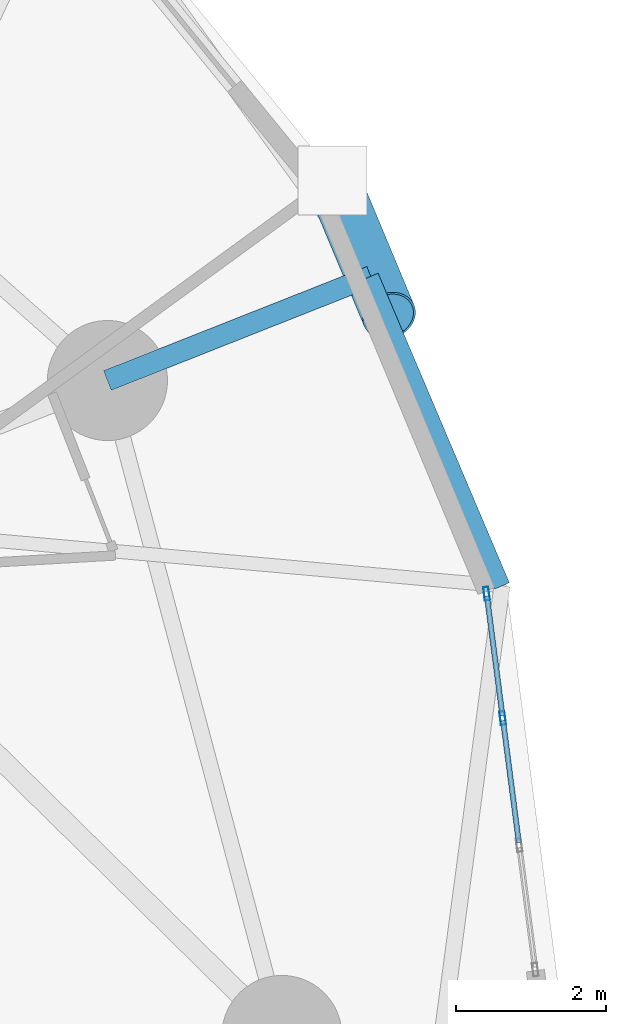
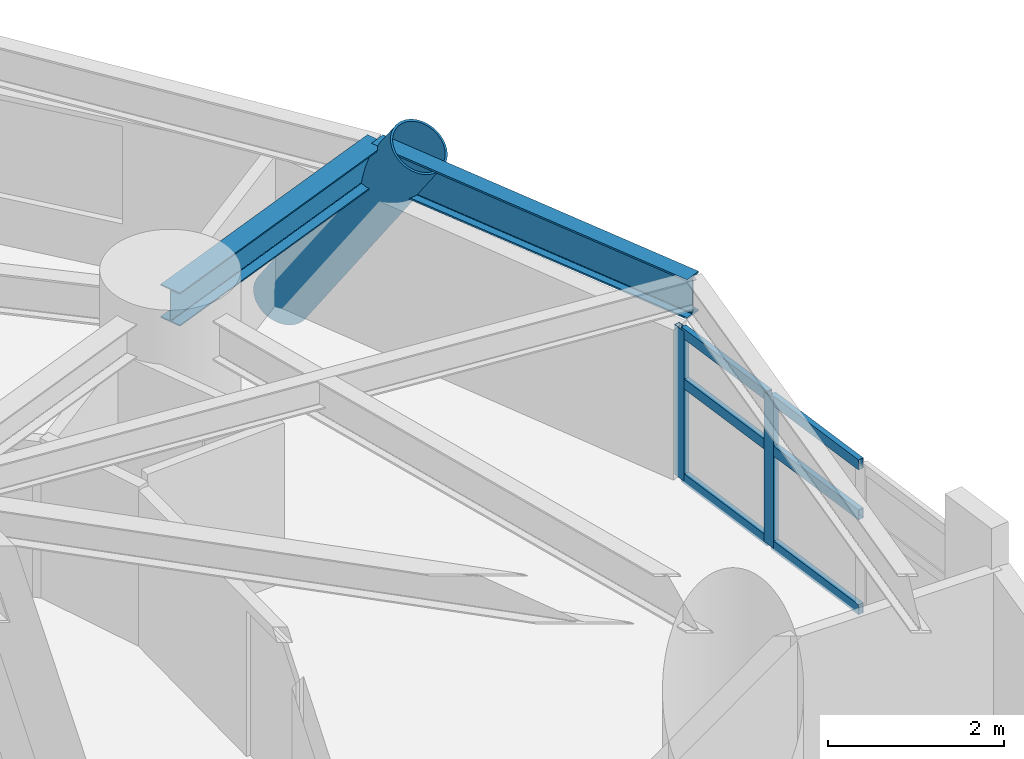
# One storey, part 4 of 19: 9 members, 2 beams, 1 element without a shape of its own.
"""IFC4 building model written with IfcOpenShell, lengths in metres."""

from ifc_helpers import new_model, si_unit, direction, frame, origin, origin_2d, place, context, subcontext, project, spatial, hollow_rectangle, hollow_circle, i_section, extrude, material, layer, layer_set, material_profile, profile_set, type_object, element, aggregate, save


model = new_model("IFC4")

# Units and contexts
model_context = context("Model", 3, precision=1e-05, world=origin(), true_north=direction((0.0, 1.0)))
body_context = subcontext(model_context, "Body", "Model", "MODEL_VIEW")
ifc_project = project(units=[si_unit("LENGTHUNIT", "METRE"), si_unit("AREAUNIT", "SQUARE_METRE"), si_unit("VOLUMEUNIT", "CUBIC_METRE"), si_unit("PLANEANGLEUNIT", "RADIAN"), si_unit("MASSUNIT", "GRAM", prefix="KILO")], contexts=[model_context])

# Site, building, storey
site_placement = place(None, origin())
site = spatial("IfcSite", under=ifc_project, at=site_placement, CompositionType="ELEMENT")
building_placement = place(site_placement, origin())
building = spatial("IfcBuilding", under=site, at=building_placement, Name="Cununo Teusaquillo Station Towers", CompositionType="ELEMENT")
storey_placement = place(building_placement, frame((0.0, 0.0, 48.18994140625)))
storey = spatial("IfcBuildingStorey", under=building, at=storey_placement, Name="L14", CompositionType="ELEMENT", Elevation=48.18994140625)

# Beams
ifc_material_1 = material(Name="Steel ASTM A572 Grade 50", Category="steel")
ifc_material_profile_1 = material_profile(ifc_material_1, i_section(OverallWidth=0.280029296875, OverallDepth=0.462890625, WebThickness=0.0107421875, FlangeThickness=0.017333984375, FilletRadius=0.013916015625, at=origin_2d()), Name="W18X76")
ifc_profile_set_1 = profile_set([ifc_material_profile_1], Name="Steel ASTM A572 Grade 50")
beam_type_1 = type_object("IfcBeamType", Name="BM-RAD-G1", PredefinedType="BEAM", material=ifc_profile_set_1)
beam_1_placement = place(storey_placement, frame((26.347412109375, 33.228515625, 2.41845703125), z_axis=(0.929871177563, 0.367885298888, 0.0), x_axis=(-0.367885298888, 0.929871177563, 0.0)))
element("IfcBeam", 1, at=beam_1_placement, inside=storey, type_object=beam_type_1, Name="L14 Tower A Perimeter Overhang Girder 02B", PredefinedType="BEAM", context=body_context, shape_type="SweptSolid", body=[
    extrude(i_section(OverallWidth=0.280029296875, OverallDepth=0.462890625, WebThickness=0.0107421875, FlangeThickness=0.017333984375, FilletRadius=0.013916015625, at=origin_2d()), origin(), (0.0, 0.0, 1.0), 3.7734375),
])
ifc_material_2 = material(Name="Steel ASTM A572 Grade 50", Category="steel")
ifc_material_profile_2 = material_profile(ifc_material_2, i_section(OverallWidth=0.214111328125, OverallDepth=0.549072265625, WebThickness=0.0146484375, FlangeThickness=0.023681640625, FilletRadius=0.014892578125, at=origin_2d()), Name="W21X93")
ifc_profile_set_2 = profile_set([ifc_material_profile_2], Name="Steel ASTM A572 Grade 50")
beam_type_2 = type_object("IfcBeamType", Name="BM-RING-Z1", PredefinedType="SPANDREL", material=ifc_profile_set_2)
beam_2_placement = place(storey_placement, frame((31.605712890625, 30.49169921875, 2.37548828125), z_axis=(-0.390457491743, 0.920620957366, 0.0), x_axis=(-0.920620957366, -0.390457491743, 0.0)))
element("IfcBeam", 2, at=beam_2_placement, inside=storey, type_object=beam_type_2, Name="L14 Tower A Spandrel Ring Beam 02", PredefinedType="SPANDREL", context=body_context, shape_type="SweptSolid", body=[
    extrude(i_section(OverallWidth=0.214111328125, OverallDepth=0.549072265625, WebThickness=0.0146484375, FlangeThickness=0.023681640625, FilletRadius=0.014892578125, at=origin_2d()), origin(), (0.0, 0.0, 1.0), 4.480712890625),
])

# Curtain wall, members
ifc_material_3 = material(Name="Operable acoustic tinted low-E double glazing", Category="glass")
ifc_layer = layer(ifc_material_3, 0.179931640625)
ifc_layer_set = layer_set([ifc_layer], Name="Operable acoustic tinted low-E double glazing")
curtain_wall_type = type_object("IfcCurtainWallType", Name="CW-SYS-03", PredefinedType="USERDEFINED", material=ifc_layer_set)
curtain_wall_placement = place(storey_placement, origin())
curtain_wall = element("IfcCurtainWall", 3, at=curtain_wall_placement, inside=storey, type_object=curtain_wall_type, Name="L14 Tower A Facade Curtain Wall C00", ObjectType="OPERABLE GLAZING", PredefinedType="USERDEFINED")
ifc_material_4 = material(Name="Anodised dark bronze aluminium EN AW-6063-T6", Category="aluminium")
ifc_material_profile_3 = material_profile(ifc_material_4, hollow_rectangle(XDim=0.070068359375, YDim=0.179931640625, WallThickness=0.00390625, at=origin_2d()), Name="CW-MULL-70x180")
ifc_profile_set_3 = profile_set([ifc_material_profile_3], Name="Anodised dark bronze aluminium EN AW-6063-T6")
member_type_1 = type_object("IfcMemberType", Name="CWM-180", PredefinedType="MULLION", material=ifc_profile_set_3)
member_1_placement = place(storey_placement, frame((31.40087890625, 30.38916015625, 0.0), z_axis=(0.0, 0.0, 1.0), x_axis=(0.99173073067, 0.128336112783, 0.0)))
member_1 = element("IfcMember", 4, at=member_1_placement, type_object=member_type_1, Name="CW-03 mullion 1", PredefinedType="MULLION", context=body_context, shape_type="SweptSolid", body=[
    extrude(hollow_rectangle(XDim=0.070068359375, YDim=0.179931640625, WallThickness=0.00390625, at=origin_2d()), origin(), (0.0, 0.0, 1.0), 2.072998046875),
])
member_2_placement = place(storey_placement, frame((31.615478515625, 28.730224609375, 0.0), z_axis=(0.0, 0.0, 1.0), x_axis=(0.99173073067, 0.128336112783, 0.0)))
member_2 = element("IfcMember", 5, at=member_2_placement, type_object=member_type_1, Name="CW-03 mullion 2", PredefinedType="MULLION", context=body_context, shape_type="SweptSolid", body=[
    extrude(hollow_rectangle(XDim=0.070068359375, YDim=0.179931640625, WallThickness=0.00390625, at=origin_2d()), origin(), (0.0, 0.0, 1.0), 2.072998046875),
])
ifc_material_5 = material(Name="Anodised dark bronze aluminium EN AW-6063-T6", Category="aluminium")
ifc_material_profile_4 = material_profile(ifc_material_5, hollow_rectangle(XDim=0.070068359375, YDim=0.139892578125, WallThickness=0.00390625, at=origin_2d()), Name="CW-TRAN-70x140")
ifc_profile_set_4 = profile_set([ifc_material_profile_4], Name="Anodised dark bronze aluminium EN AW-6063-T6")
member_type_2 = type_object("IfcMemberType", Name="CWT-140", PredefinedType="USERDEFINED", material=ifc_profile_set_4)
member_3_placement = place(storey_placement, frame((31.4052734375, 30.3544921875, 0.03515625), z_axis=(0.128401455372, -0.991722272745, 0.0), x_axis=(0.991722272745, 0.128401455372, 0.0)))
member_3 = element("IfcMember", 6, at=member_3_placement, type_object=member_type_2, Name="CW-03 transom 1.1", ObjectType="TRANSOM", PredefinedType="USERDEFINED", context=body_context, shape_type="SweptSolid", body=[
    extrude(hollow_rectangle(XDim=0.070068359375, YDim=0.139892578125, WallThickness=0.00390625, at=origin_2d()), origin(), (0.0, 0.0, 1.0), 1.602783203125),
])
member_4_placement = place(storey_placement, frame((31.4052734375, 30.3544921875, 1.34716796875), z_axis=(0.128401455372, -0.991722272745, 0.0), x_axis=(0.991722272745, 0.128401455372, 0.0)))
member_4 = element("IfcMember", 7, at=member_4_placement, type_object=member_type_2, Name="CW-03 transom 1.2", ObjectType="TRANSOM", PredefinedType="USERDEFINED", context=body_context, shape_type="SweptSolid", body=[
    extrude(hollow_rectangle(XDim=0.070068359375, YDim=0.139892578125, WallThickness=0.00390625, at=origin_2d()), origin(), (0.0, 0.0, 1.0), 1.602783203125),
])
member_5_placement = place(storey_placement, frame((31.4052734375, 30.3544921875, 2.0380859375), z_axis=(0.128401455372, -0.991722272745, 0.0), x_axis=(0.991722272745, 0.128401455372, 0.0)))
member_5 = element("IfcMember", 8, at=member_5_placement, type_object=member_type_2, Name="CW-03 transom 1.3", ObjectType="TRANSOM", PredefinedType="USERDEFINED", context=body_context, shape_type="SweptSolid", body=[
    extrude(hollow_rectangle(XDim=0.070068359375, YDim=0.139892578125, WallThickness=0.00390625, at=origin_2d()), origin(), (0.0, 0.0, 1.0), 1.602783203125),
])
member_6_placement = place(storey_placement, frame((31.6201171875, 28.695556640625, 0.03515625), z_axis=(0.128344982832, -0.99172958279, 0.0), x_axis=(0.99172958279, 0.128344982832, 0.0)))
member_6 = element("IfcMember", 9, at=member_6_placement, type_object=member_type_2, Name="CW-03 transom 2.1", ObjectType="TRANSOM", PredefinedType="USERDEFINED", context=body_context, shape_type="SweptSolid", body=[
    extrude(hollow_rectangle(XDim=0.070068359375, YDim=0.139892578125, WallThickness=0.00390625, at=origin_2d()), origin(), (0.0, 0.0, 1.0), 1.6376953125),
])
member_7_placement = place(storey_placement, frame((31.6201171875, 28.695556640625, 1.34716796875), z_axis=(0.128344982832, -0.99172958279, 0.0), x_axis=(0.99172958279, 0.128344982832, 0.0)))
member_7 = element("IfcMember", 10, at=member_7_placement, type_object=member_type_2, Name="CW-03 transom 2.2", ObjectType="TRANSOM", PredefinedType="USERDEFINED", context=body_context, shape_type="SweptSolid", body=[
    extrude(hollow_rectangle(XDim=0.070068359375, YDim=0.139892578125, WallThickness=0.00390625, at=origin_2d()), origin(), (0.0, 0.0, 1.0), 1.6376953125),
])
member_8_placement = place(storey_placement, frame((31.6201171875, 28.695556640625, 2.0380859375), z_axis=(0.128344982832, -0.99172958279, 0.0), x_axis=(0.99172958279, 0.128344982832, 0.0)))
member_8 = element("IfcMember", 11, at=member_8_placement, type_object=member_type_2, Name="CW-03 transom 2.3", ObjectType="TRANSOM", PredefinedType="USERDEFINED", context=body_context, shape_type="SweptSolid", body=[
    extrude(hollow_rectangle(XDim=0.070068359375, YDim=0.139892578125, WallThickness=0.00390625, at=origin_2d()), origin(), (0.0, 0.0, 1.0), 1.6376953125),
])
aggregate(curtain_wall, [member_1, member_2, member_3, member_4, member_5, member_6, member_7, member_8])

# Member
ifc_material_6 = material(Name="Steel EN 10025-2 S355J2", Category="steel")
ifc_material_profile_5 = material_profile(ifc_material_6, hollow_circle(Radius=0.360107421875, WallThickness=0.028076171875, at=origin_2d()), Name="CHS 720x28")
ifc_profile_set_5 = profile_set([ifc_material_profile_5], Name="Steel EN 10025-2 S355J2")
member_type_3 = type_object("IfcMemberType", Name="MBR-DIAG-Z1", PredefinedType="BRACE", material=ifc_profile_set_5)
member_9_placement = place(storey_placement, frame((29.349609375, 35.897216796875, -0.139892578125), z_axis=(0.214586809548, -0.51417229041, 0.830409150325), x_axis=(0.92285479051, 0.385148069752, 0.0)))
element("IfcMember", 12, at=member_9_placement, inside=storey, type_object=member_type_3, Name="L14 Tower A Folded-Zigzag Diagrid Tube C01", PredefinedType="BRACE", context=body_context, shape_type="SweptSolid", body=[
    extrude(hollow_circle(Radius=0.360107421875, WallThickness=0.028076171875, at=origin_2d()), origin(), (0.0, 0.0, 1.0), 3.504150390625),
])

save(model, "model.ifc")
